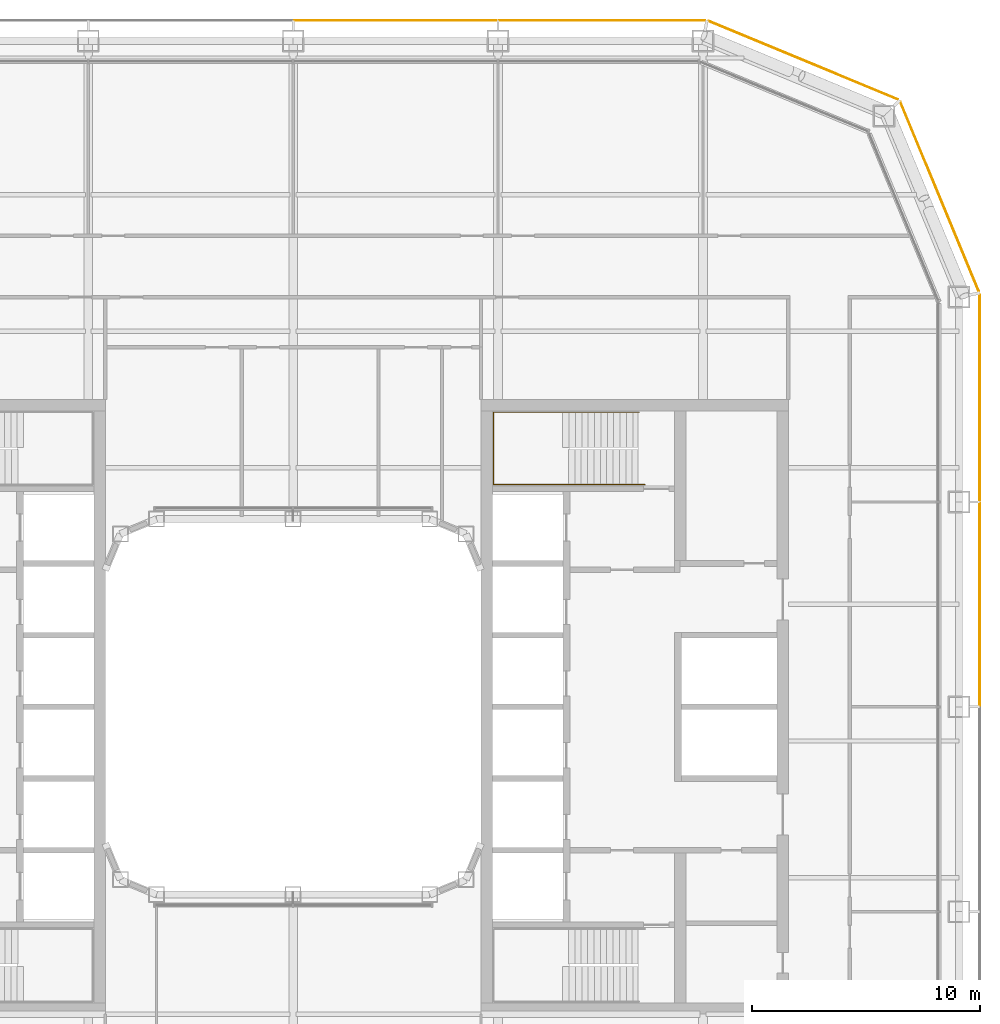
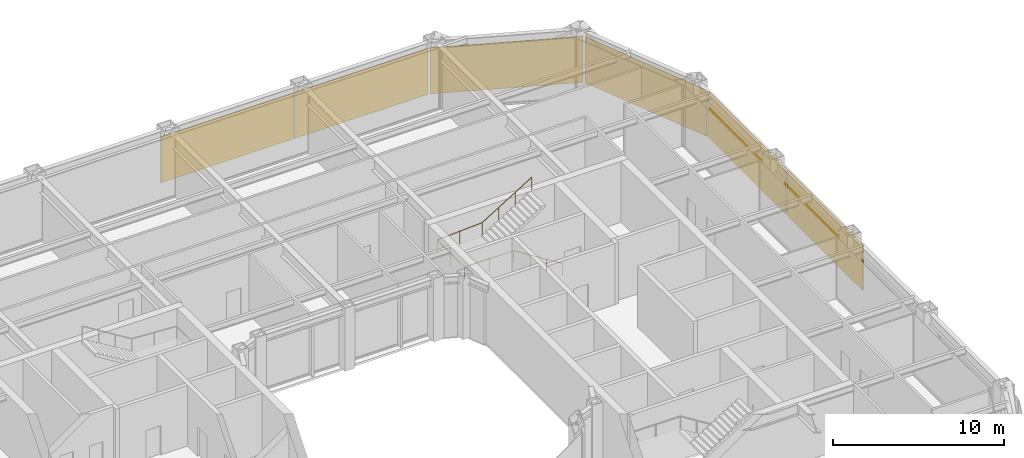
# One storey, part 21 of 21: 6 coverings, 1 railing.
"""IFC4 building model written with IfcOpenShell, lengths in metres."""

import ifcopenshell
import ifcopenshell.guid

model = None  # the IFC model being written
_history = None  # IfcOwnerHistory: only IFC2X3 demands one
_inside = {}  # id of a spatial element -> (the spatial element, [elements in it])
_under = {}  # id of a project, library or spatial element -> (it, [spatial elements below it])
_declared = {}  # id of a project -> (the project, [libraries it declares])
_typed = {}  # id of a type object -> (the type object, [elements of that type])
_made_of = {}  # id of a material, layer set ... -> (it, [elements and type objects made of it])


def new_model(schema):
    """Start an empty IFC model of exactly this schema.

    Asked for "IFC4X3", IfcOpenShell would pick the latest addendum, in which some entities
    have other attributes; the version numbers below select the first issue.
    IFC2X3 requires an IfcOwnerHistory on every rooted entity: one is made here for all.
    """
    global model, _history
    if schema == "IFC4X3":
        model = ifcopenshell.file(schema_version=(4, 3, 0, 0))
    else:
        model = ifcopenshell.file(schema=schema)
    _inside.clear()
    _under.clear()
    _declared.clear()
    _typed.clear()
    _made_of.clear()
    _history = None
    if model.schema == "IFC2X3":
        org = make("IfcOrganization", Name="unknown")
        user = make(
            "IfcPersonAndOrganization",
            ThePerson=make("IfcPerson", FamilyName="unknown"),
            TheOrganization=org,
        )
        app = make(
            "IfcApplication",
            ApplicationDeveloper=org,
            Version="unknown",
            ApplicationFullName="unknown",
            ApplicationIdentifier="unknown",
        )
        _history = make(
            "IfcOwnerHistory",
            OwningUser=user,
            OwningApplication=app,
            ChangeAction="ADDED",
            CreationDate=0,
        )
    return model


def make(cls, **values):
    """One entity of the class cls with the attributes given. An attribute that is None is left unset."""
    return model.create_entity(
        cls, **{name: value for name, value in values.items() if value is not None}
    )


def rooted(cls, **values):
    """An entity with a GlobalId (a new one), such as an element, a storey or a relation."""
    return make(cls, GlobalId=ifcopenshell.guid.new(), OwnerHistory=_history, **values)


def si_unit(unit_type, name, prefix=None):
    """IfcSIUnit, for example si_unit("LENGTHUNIT", "METRE", prefix="MILLI")."""
    return make("IfcSIUnit", UnitType=unit_type, Prefix=prefix, Name=name)


def assignment(units):
    """IfcUnitAssignment: the units of a project."""
    return None if units is None else make("IfcUnitAssignment", Units=units)


def point(xyz):
    """IfcCartesianPoint."""
    return None if xyz is None else make("IfcCartesianPoint", Coordinates=xyz)


def direction(xyz):
    """IfcDirection."""
    return None if xyz is None else make("IfcDirection", DirectionRatios=xyz)


def frame(location, z_axis=None, x_axis=None):
    """IfcAxis2Placement3D, a coordinate frame: its origin and axes. An axis left out is left unset."""
    return make(
        "IfcAxis2Placement3D",
        Location=point(location),
        Axis=direction(z_axis),
        RefDirection=direction(x_axis),
    )


def frame_2d(location, x_axis=None):
    """IfcAxis2Placement2D, a coordinate frame in the plane: its origin and x axis."""
    return make(
        "IfcAxis2Placement2D", Location=point(location), RefDirection=direction(x_axis)
    )


def origin():
    """The frame at (0, 0, 0) with its axes left unset."""
    return frame((0.0, 0.0, 0.0))


def origin_2d():
    """The frame at (0, 0) in the plane with its x axis left unset."""
    return frame_2d((0.0, 0.0))


def place(relative_to, where):
    """IfcLocalPlacement: puts the frame where relative to a parent placement (None: the world)."""
    return make(
        "IfcLocalPlacement", PlacementRelTo=relative_to, RelativePlacement=where
    )


def context(
    kind, dimensions, precision=None, world=None, true_north=None, identifier=None
):
    """IfcGeometricRepresentationContext, for example the 3D "Model" context."""
    return make(
        "IfcGeometricRepresentationContext",
        ContextIdentifier=identifier,
        ContextType=kind,
        CoordinateSpaceDimension=dimensions,
        Precision=precision,
        WorldCoordinateSystem=world,
        TrueNorth=true_north,
    )


def subcontext(parent, identifier, kind, view, scale=None):
    """IfcGeometricRepresentationSubContext, for example "Body" below "Model"."""
    return make(
        "IfcGeometricRepresentationSubContext",
        ContextIdentifier=identifier,
        ContextType=kind,
        ParentContext=parent,
        TargetScale=scale,
        TargetView=view,
    )


def project(units=None, contexts=None):
    """IfcProject with its units and contexts."""
    return rooted(
        "IfcProject",
        Name="project",
        RepresentationContexts=contexts,
        UnitsInContext=assignment(units),
    )


def spatial(cls, under=None, at=None, **own):
    """A site, building, storey or space (cls), placed at a placement, below another one or the project."""
    s = rooted(cls, ObjectPlacement=at, **own)
    if under is not None:
        _under.setdefault(under.id(), (under, []))[1].append(s)
    return s


def profile(cls, at=None, kind="AREA", **sizes):
    """A parametric profile (cls). Its sizes go by their IFC names, for example OverallWidth=200.0."""
    return make(cls, ProfileType=kind, Position=at, **sizes)


def rectangle(**sizes):
    """IfcRectangleProfileDef."""
    return profile("IfcRectangleProfileDef", **sizes)


def circle(**sizes):
    """IfcCircleProfileDef."""
    return profile("IfcCircleProfileDef", **sizes)


def extrude(swept, where, along, depth):
    """IfcExtrudedAreaSolid: the profile swept, set in the frame where, extruded along a direction by depth."""
    return make(
        "IfcExtrudedAreaSolid",
        SweptArea=swept,
        Position=where,
        ExtrudedDirection=direction(along),
        Depth=depth,
    )


def shape(context_of_items, identifier, shape_type, items):
    """IfcShapeRepresentation: the items that make up one representation, for example the "Body"."""
    return make(
        "IfcShapeRepresentation",
        ContextOfItems=context_of_items,
        RepresentationIdentifier=identifier,
        RepresentationType=shape_type,
        Items=items,
    )


def material(Name=None, Category=None):
    """IfcMaterial."""
    return make("IfcMaterial", Name=Name, Category=Category)


def layer(
    of_material, thickness, ventilated=None, Name=None, Category=None, Priority=None
):
    """IfcMaterialLayer: one layer of a wall or slab, of a material (None: an air gap)."""
    return make(
        "IfcMaterialLayer",
        Material=of_material,
        LayerThickness=thickness,
        IsVentilated=ventilated,
        Name=Name,
        Category=Category,
        Priority=Priority,
    )


def layer_set(layers, Name=None):
    """IfcMaterialLayerSet."""
    return make("IfcMaterialLayerSet", MaterialLayers=layers, LayerSetName=Name)


def made_of(thing, what):
    """Note that an element or type object is made of a material, layer set ...; save() writes the relation."""
    if what is not None:
        _made_of.setdefault(what.id(), (what, []))[1].append(thing)
    return thing


def type_object(cls, material=None, **own):
    """A type object (cls), such as IfcWallType, which elements share."""
    return made_of(rooted(cls, **own), material)


def element(
    cls,
    number,
    at=None,
    inside=None,
    cuts=None,
    type_object=None,
    material=None,
    context=None,
    identifier="Body",
    shape_type=None,
    held_by="IfcProductDefinitionShape",
    body=None,
    shapes=None,
    **own,
):
    """One element of the class cls, such as IfcWall. Its Tag is "e" and its number.

    at: its placement. inside: the storey or other place that contains it. cuts: it is an
    opening in that element (IfcRelVoidsElement). A single representation is given by context,
    identifier, shape_type and body (its items); several are given by shapes. held_by: the class
    of the entity that holds the representations. save() writes the other relations.
    """
    e = rooted(cls, Tag="e%d" % number, ObjectPlacement=at, **own)
    if body is not None:
        shapes = [shape(context, identifier, shape_type, body)]
    if shapes is not None:
        e.Representation = make(held_by, Representations=shapes)
    if inside is not None:
        _inside.setdefault(inside.id(), (inside, []))[1].append(e)
    if cuts is not None:
        rooted(
            "IfcRelVoidsElement", RelatingBuildingElement=cuts, RelatedOpeningElement=e
        )
    if type_object is not None:
        _typed.setdefault(type_object.id(), (type_object, []))[1].append(e)
    return made_of(e, material)


def aggregate(whole, parts):
    """IfcRelAggregates: a whole, such as a stair, and the parts it consists of."""
    return rooted("IfcRelAggregates", RelatingObject=whole, RelatedObjects=parts)


def save(model, path):
    """Write the relations noted so far, then the file.

    IfcRelAggregates (storeys below a building ...), IfcRelContainedInSpatialStructure (elements
    in a storey), IfcRelDefinesByType, IfcRelAssociatesMaterial and IfcRelDeclares: one each for
    every whole, place, type object, material and project.
    """
    for whole, parts in _under.values():
        aggregate(whole, parts)
    for where, things in _inside.values():
        rooted(
            "IfcRelContainedInSpatialStructure",
            RelatedElements=things,
            RelatingStructure=where,
        )
    for kind, things in _typed.values():
        rooted("IfcRelDefinesByType", RelatedObjects=things, RelatingType=kind)
    for what, things in _made_of.values():
        rooted("IfcRelAssociatesMaterial", RelatedObjects=things, RelatingMaterial=what)
    for by, libraries in _declared.values():
        rooted("IfcRelDeclares", RelatingContext=by, RelatedDefinitions=libraries)
    model.write(path)


model = new_model("IFC4")

# Units and contexts
model_context = context("Model", 3, precision=1e-05, world=origin(), true_north=direction((0.0, 1.0)))
body_context = subcontext(model_context, "Body", "Model", "MODEL_VIEW")
ifc_project = project(units=[si_unit("LENGTHUNIT", "METRE"), si_unit("AREAUNIT", "SQUARE_METRE"), si_unit("VOLUMEUNIT", "CUBIC_METRE"), si_unit("PLANEANGLEUNIT", "RADIAN"), si_unit("MASSUNIT", "GRAM", prefix="KILO")], contexts=[model_context])

# Site, building, storey
site_placement = place(None, origin())
site = spatial("IfcSite", under=ifc_project, at=site_placement, CompositionType="ELEMENT")
building_placement = place(site_placement, origin())
building = spatial("IfcBuilding", under=site, at=building_placement, Name="Siwar Civic Tower", CompositionType="ELEMENT")
storey_placement = place(building_placement, frame((0.0, 0.0, 122.699951171875)))
storey = spatial("IfcBuildingStorey", under=building, at=storey_placement, Name="L26", CompositionType="ELEMENT", Elevation=122.699951171875)

# Railing
ifc_material_1 = material(Name="Stainless steel", Category="steel")
railing_type = type_object("IfcRailingType", Name="CORE-STAIR-HANDRAIL", PredefinedType="HANDRAIL", material=ifc_material_1)
railing_placement = place(storey_placement, frame((15.449951171875, 9.758056640625, 0.173095703125)))
element("IfcRailing", 1, at=railing_placement, inside=storey, type_object=railing_type, Name="Stair handrail ST3", PredefinedType="HANDRAIL", context=body_context, shape_type="SweptSolid", body=[
    extrude(circle(Radius=0.02001953125, at=origin_2d()), frame((0.0, 0.0, 0.8798828125), z_axis=(-0.847063342986, 0.0, 0.531491950051), x_axis=(0.0, -1.0, 0.0)), (0.0, 0.0, 1.0), 3.90771484375),
    extrude(circle(Radius=0.02001953125, at=origin_2d()), frame((-3.31005859375, 0.0, 2.956787109375), z_axis=(-1.0, 0.0, 0.0), x_axis=(0.0, -1.0, 0.0)), (0.0, 0.0, 1.0), 3.331787109375),
    extrude(circle(Radius=0.02001953125, at=origin_2d()), frame((-6.641845703125, 0.0, 2.956787109375), z_axis=(0.0, 1.0, 0.0), x_axis=(-1.0, 0.0, 0.0)), (0.0, 0.0, 1.0), 3.183837890625),
    extrude(circle(Radius=0.02001953125, at=origin_2d()), frame((-6.641845703125, 3.183837890625, 2.956787109375), z_axis=(0.99837434197, 0.0, 0.056997134106), x_axis=(0.0, 1.0, 0.0)), (0.0, 0.0, 1.0), 3.036865234375),
    extrude(circle(Radius=0.02001953125, at=origin_2d()), frame((-3.60986328125, 3.183837890625, 3.1298828125), z_axis=(0.850606129759, 0.0, 0.525803396734), x_axis=(0.0, 1.0, 0.0)), (0.0, 0.0, 1.0), 3.949951171875),
    extrude(circle(Radius=0.02001953125, at=origin_2d()), origin(), (0.0, 0.0, 1.0), 0.85986328125),
    extrude(circle(Radius=0.02001953125, at=origin_2d()), frame((-1.103271484375, 0.0, 0.6923828125)), (0.0, 0.0, 1.0), 0.85986328125),
    extrude(circle(Radius=0.02001953125, at=origin_2d()), frame((-2.206787109375, 0.0, 1.384521484375)), (0.0, 0.0, 1.0), 0.85986328125),
    extrude(circle(Radius=0.02001953125, at=origin_2d()), frame((-3.31005859375, 0.0, 2.076904296875)), (0.0, 0.0, 1.0), 0.85986328125),
    extrude(circle(Radius=0.02001953125, at=origin_2d()), frame((-4.97607421875, 0.0, 2.076904296875)), (0.0, 0.0, 1.0), 0.85986328125),
    extrude(circle(Radius=0.02001953125, at=origin_2d()), frame((-6.641845703125, 0.0, 2.076904296875)), (0.0, 0.0, 1.0), 0.85986328125),
    extrude(circle(Radius=0.02001953125, at=origin_2d()), frame((-6.641845703125, 1.591796875, 2.076904296875)), (0.0, 0.0, 1.0), 0.85986328125),
    extrude(circle(Radius=0.02001953125, at=origin_2d()), frame((-6.641845703125, 3.183837890625, 2.076904296875)), (0.0, 0.0, 1.0), 0.85986328125),
    extrude(circle(Radius=0.02001953125, at=origin_2d()), frame((-5.1259765625, 3.183837890625, 2.16357421875)), (0.0, 0.0, 1.0), 0.85986328125),
    extrude(circle(Radius=0.02001953125, at=origin_2d()), frame((-3.60986328125, 3.183837890625, 2.25)), (0.0, 0.0, 1.0), 0.85986328125),
    extrude(circle(Radius=0.02001953125, at=origin_2d()), frame((-2.489990234375, 3.183837890625, 2.9423828125)), (0.0, 0.0, 1.0), 0.85986328125),
    extrude(circle(Radius=0.02001953125, at=origin_2d()), frame((-1.369873046875, 3.183837890625, 3.634521484375)), (0.0, 0.0, 1.0), 0.85986328125),
    extrude(circle(Radius=0.02001953125, at=origin_2d()), frame((-0.25, 3.183837890625, 4.326904296875)), (0.0, 0.0, 1.0), 0.85986328125),
])

# Coverings
ifc_material_2 = material(Name="Perforated aluminium cassette, pale metal", Category="aluminium")
ifc_layer = layer(ifc_material_2, 0.0400390625)
ifc_layer_set = layer_set([ifc_layer], Name="Perforated aluminium cassette, pale metal")
covering_type = type_object("IfcCoveringType", Name="ENV-OUTER SKIN OS-1", PredefinedType="CLADDING", material=ifc_layer_set)
covering_1_placement = place(storey_placement, frame((30.14990234375, 4.5, -0.14990234375), z_axis=(0.0, 0.0, 1.0), x_axis=(0.0, 1.0, 0.0)))
element("IfcCovering", 2, at=covering_1_placement, inside=storey, type_object=covering_type, Name="OUTER SKIN OS-1 E 3", PredefinedType="CLADDING", context=body_context, shape_type="SweptSolid", body=[
    extrude(rectangle(XDim=8.89990234375, YDim=0.0400390625, at=origin_2d()), origin(), (0.0, 0.0, 1.0), 3.300048828125),
])
covering_2_placement = place(storey_placement, frame((30.14990234375, 13.57958984375, -0.14990234375), z_axis=(0.0, 0.0, 1.0), x_axis=(0.0, 1.0, 0.0)))
element("IfcCovering", 3, at=covering_2_placement, inside=storey, type_object=covering_type, Name="OUTER SKIN OS-1 E 4", PredefinedType="CLADDING", context=body_context, shape_type="SweptSolid", body=[
    extrude(rectangle(XDim=9.05908203125, YDim=0.0400390625, at=origin_2d()), origin(), (0.0, 0.0, 1.0), 3.300048828125),
])
for number, where, z_axis, x_axis, name in (
    (4, (28.39697265625, 22.411376953125, -0.14990234375), (0.0, 0.0, 1.0), (-0.382683432365, 0.923879532511, 0.0), "OUTER SKIN OS-1 NE1 1"),
    (5, (22.411376953125, 28.39697265625, -0.14990234375), (0.0, 0.0, 1.0), (-0.923879532511, 0.382683432365, 0.0), "OUTER SKIN OS-1 NE2 1"),
):
    element("IfcCovering", number, at=place(storey_placement, frame(where, z_axis=z_axis, x_axis=x_axis)), inside=storey, type_object=covering_type, Name=name, PredefinedType="CLADDING", context=body_context, shape_type="SweptSolid", body=[
        extrude(rectangle(XDim=9.022216796875, YDim=0.0400390625, at=origin_2d()), origin(), (0.0, 0.0, 1.0), 3.300048828125),
    ])
covering_3_placement = place(storey_placement, frame((13.57958984375, 30.14990234375, -0.14990234375), z_axis=(0.0, 0.0, 1.0), x_axis=(-1.0, 0.0, 0.0)))
element("IfcCovering", 6, at=covering_3_placement, inside=storey, type_object=covering_type, Name="OUTER SKIN OS-1 N 1", PredefinedType="CLADDING", context=body_context, shape_type="SweptSolid", body=[
    extrude(rectangle(XDim=9.05908203125, YDim=0.0400390625, at=origin_2d()), origin(), (0.0, 0.0, 1.0), 3.300048828125),
])
covering_4_placement = place(storey_placement, frame((4.5, 30.14990234375, -0.14990234375), z_axis=(0.0, 0.0, 1.0), x_axis=(-1.0, 0.0, 0.0)))
element("IfcCovering", 7, at=covering_4_placement, inside=storey, type_object=covering_type, Name="OUTER SKIN OS-1 N 2", PredefinedType="CLADDING", context=body_context, shape_type="SweptSolid", body=[
    extrude(rectangle(XDim=8.89990234375, YDim=0.0400390625, at=origin_2d()), origin(), (0.0, 0.0, 1.0), 3.300048828125),
])

save(model, "model.ifc")
